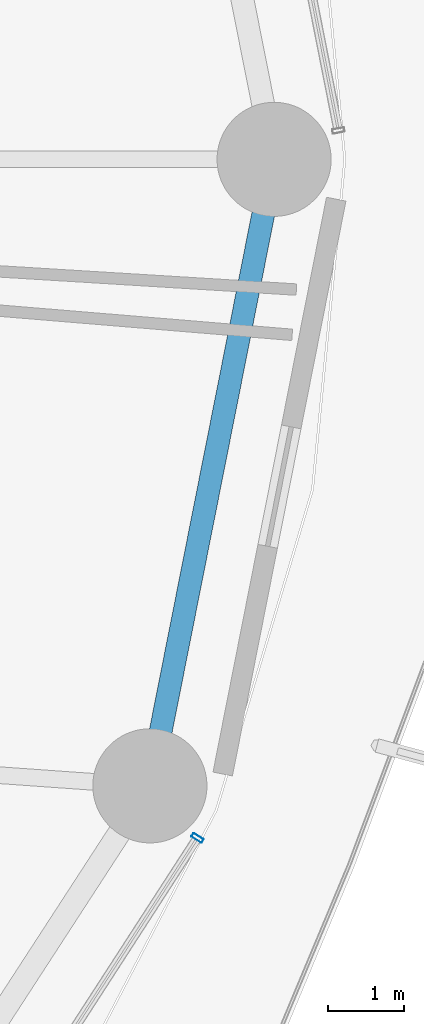
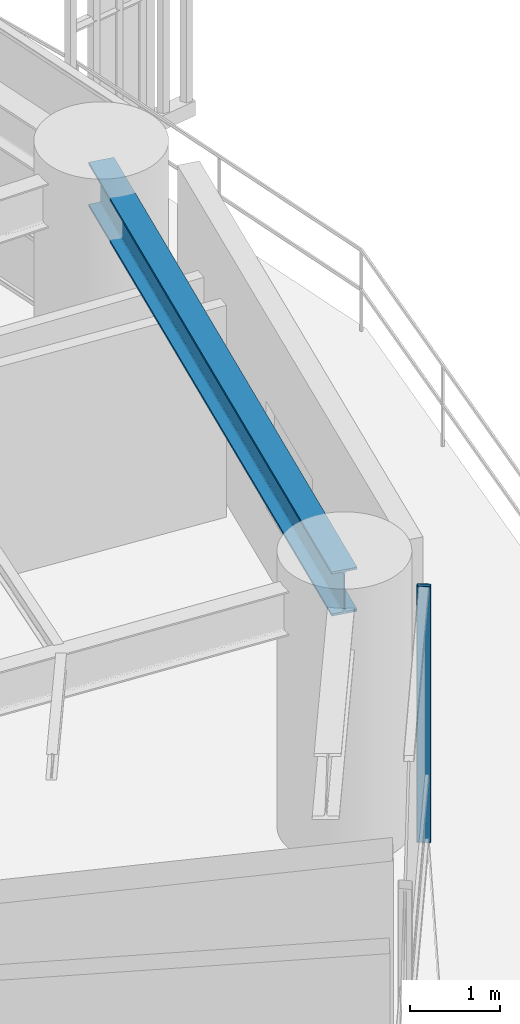
# One storey, part 12 of 32: 1 beam, 1 member, 1 element without a shape of its own.
"""IFC4 building model written with IfcOpenShell, lengths in metres."""

from ifc_helpers import new_model, si_unit, direction, frame, origin, origin_2d, place, context, subcontext, project, spatial, hollow_rectangle, i_section, extrude, material, layer, layer_set, material_profile, profile_set, type_object, element, aggregate, save


model = new_model("IFC4")

# Units and contexts
model_context = context("Model", 3, precision=1e-05, world=origin(), true_north=direction((0.0, 1.0)))
body_context = subcontext(model_context, "Body", "Model", "MODEL_VIEW")
ifc_project = project(units=[si_unit("LENGTHUNIT", "METRE"), si_unit("AREAUNIT", "SQUARE_METRE"), si_unit("VOLUMEUNIT", "CUBIC_METRE"), si_unit("PLANEANGLEUNIT", "RADIAN"), si_unit("MASSUNIT", "GRAM", prefix="KILO")], contexts=[model_context])

# Site, building, storey
site_placement = place(None, origin())
site = spatial("IfcSite", under=ifc_project, at=site_placement, CompositionType="ELEMENT")
building_placement = place(site_placement, origin())
building = spatial("IfcBuilding", under=site, at=building_placement, Name="Kelanora Arch Commons", CompositionType="ELEMENT")
storey_placement = place(building_placement, frame((0.0, 0.0, 60.0)))
storey = spatial("IfcBuildingStorey", under=building, at=storey_placement, Name="L15", CompositionType="ELEMENT", Elevation=60.0)

# Beam
ifc_material_1 = material(Name="Steel S355", Category="steel")
ifc_material_profile_1 = material_profile(ifc_material_1, i_section(OverallWidth=0.300048828125, OverallDepth=0.60009765625, WebThickness=0.015380859375, FlangeThickness=0.030029296875, FilletRadius=0.027099609375, at=origin_2d()), Name="HEB600")
ifc_profile_set_1 = profile_set([ifc_material_profile_1], Name="Steel S355")
beam_type = type_object("IfcBeamType", Name="BM-SPN-Z1", PredefinedType="SPANDREL", material=ifc_profile_set_1)
beam_placement = place(storey_placement, frame((99.447021484375, 49.76416015625, 3.18994140625), z_axis=(0.194499827256, 0.980902552345, 0.0), x_axis=(-0.980902552345, 0.194499827256, 0.0)))
element("IfcBeam", 1, at=beam_placement, inside=storey, type_object=beam_type, Name="Perimeter Spandrel Beam BS-34 L15", PredefinedType="SPANDREL", context=body_context, shape_type="SweptSolid", body=[
    extrude(i_section(OverallWidth=0.300048828125, OverallDepth=0.60009765625, WebThickness=0.015380859375, FlangeThickness=0.030029296875, FilletRadius=0.027099609375, at=origin_2d()), origin(), (0.0, 0.0, 1.0), 8.396240234375),
])

# Curtain wall, member
ifc_material_2 = material(Name="Terracotta ceramic-fritted low-E glass and aluminium", Category="masonry")
ifc_layer = layer(ifc_material_2, 0.159912109375)
ifc_layer_set = layer_set([ifc_layer], Name="Terracotta ceramic-fritted low-E glass and aluminium")
curtain_wall_type = type_object("IfcCurtainWallType", Name="CW-SYS-01", PredefinedType="NOTDEFINED", material=ifc_layer_set)
curtain_wall_placement = place(storey_placement, origin())
curtain_wall = element("IfcCurtainWall", 2, at=curtain_wall_placement, inside=storey, type_object=curtain_wall_type, Name="Unitised Curtain Wall L15-B16", PredefinedType="NOTDEFINED")
ifc_material_3 = material(Name="Powder-coated aluminium terracotta", Category="masonry")
ifc_material_profile_2 = material_profile(ifc_material_3, hollow_rectangle(XDim=0.159912109375, YDim=0.06005859375, WallThickness=0.0048828125, InnerFilletRadius=0.0048828125, OuterFilletRadius=0.010009765625, at=origin_2d()), Name="CWM160x60")
ifc_profile_set_2 = profile_set([ifc_material_profile_2], Name="Powder-coated aluminium terracotta")
member_type = type_object("IfcMemberType", Name="CWM-STD", PredefinedType="MULLION", material=ifc_profile_set_2)
member_placement = place(storey_placement, frame((100.072265625, 49.07958984375, 0.0), z_axis=(0.0, 0.0, 1.0), x_axis=(-0.83972982332, 0.543004441812, 0.0)))
member = element("IfcMember", 3, at=member_placement, type_object=member_type, Name="CW-01 mullion 3", PredefinedType="MULLION", context=body_context, shape_type="SweptSolid", body=[
    extrude(hollow_rectangle(XDim=0.159912109375, YDim=0.06005859375, WallThickness=0.0048828125, InnerFilletRadius=0.0048828125, OuterFilletRadius=0.010009765625, at=origin_2d()), origin(), (0.0, 0.0, 1.0), 3.47509765625),
])
aggregate(curtain_wall, [member])

save(model, "model.ifc")
